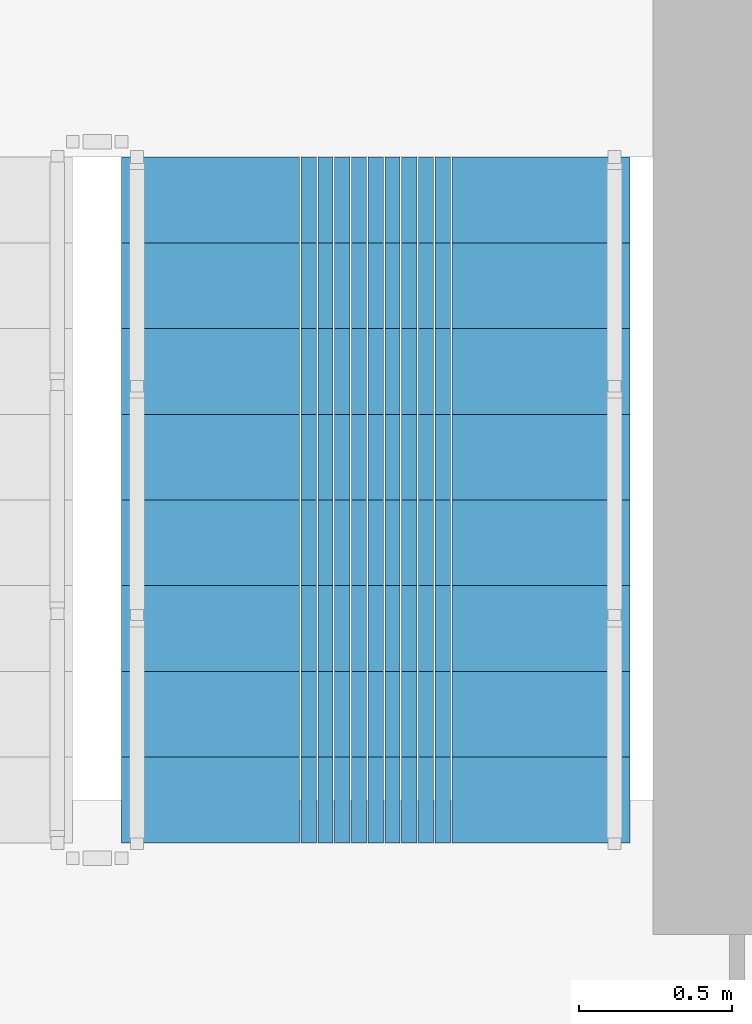
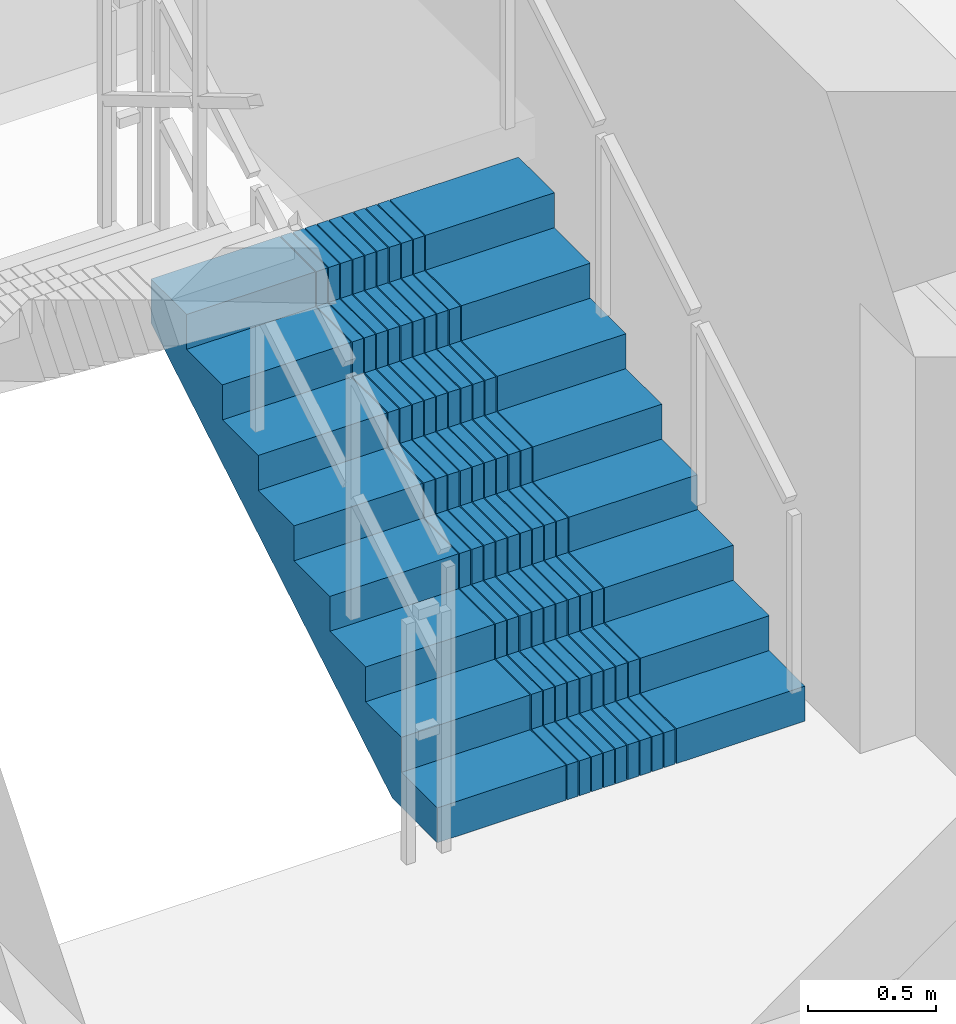
# One storey, part 8 of 12: 1 stair flight, 1 element without a shape of its own.
"""IFC4 building model written with IfcOpenShell, lengths in metres."""

from ifc_helpers import new_model, si_unit, direction, frame, origin, place, context, subcontext, project, spatial, polyline, outline, extrude, material, type_object, element, aggregate, save


model = new_model("IFC4")

# Units and contexts
model_context = context("Model", 3, precision=1e-05, world=origin(), true_north=direction((0.0, 1.0)))
body_context = subcontext(model_context, "Body", "Model", "MODEL_VIEW")
ifc_project = project(units=[si_unit("LENGTHUNIT", "METRE"), si_unit("AREAUNIT", "SQUARE_METRE"), si_unit("VOLUMEUNIT", "CUBIC_METRE"), si_unit("PLANEANGLEUNIT", "RADIAN"), si_unit("MASSUNIT", "GRAM", prefix="KILO")], contexts=[model_context])

# Site, building, storey
site_placement = place(None, origin())
site = spatial("IfcSite", under=ifc_project, at=site_placement, CompositionType="ELEMENT")
building_placement = place(site_placement, origin())
building = spatial("IfcBuilding", under=site, at=building_placement, Name="Saelheon Loggia Tower", CompositionType="ELEMENT")
storey_placement = place(building_placement, frame((0.0, 0.0, 101.85009765625)))
storey = spatial("IfcBuildingStorey", under=building, at=storey_placement, Name="L32", CompositionType="ELEMENT", Elevation=101.85009765625)

# Stair, stair flight
ifc_material = material(Name="Concrete C40/50", Category="concrete")
stair_type = type_object("IfcStairType", Name="Stair_Escape_Core", PredefinedType="HALF_TURN_STAIR", material=ifc_material)
stair_placement = place(storey_placement, origin())
stair = element("IfcStair", 1, at=stair_placement, inside=storey, type_object=stair_type, Name="L32 Special Escape Stair ST2", PredefinedType="HALF_TURN_STAIR")
stair_flight_type = type_object("IfcStairFlightType", Name="StairFlight_Tower_1660", PredefinedType="STRAIGHT", material=ifc_material)
stair_flight_placement = place(storey_placement, frame((43.320068359375, 30.449951171875, 0.0), z_axis=(0.0, 0.0, 1.0), x_axis=(0.0, 1.0, 0.0)))
stair_flight = element("IfcStairFlight", 2, at=stair_flight_placement, type_object=stair_flight_type, Name="ST2 flight 1", NumberOfRisers=9, NumberOfTreads=8, PredefinedType="STRAIGHT", RiserHeight=0.166666667, TreadLength=0.28, context=body_context, shape_type="SweptSolid", body=[
    extrude(outline(polyline([(0.0, 0.0), (0.0, 0.166748046875), (0.280029296875, 0.166748046875), (0.280029296875, 0.333251953125), (0.56005859375, 0.333251953125), (0.56005859375, 0.5), (0.840087890625, 0.5), (0.840087890625, 0.666748046875), (1.1201171875, 0.666748046875), (1.1201171875, 0.833251953125), (1.39990234375, 0.833251953125), (1.39990234375, 1.0), (1.679931640625, 1.0), (1.679931640625, 1.166748046875), (1.9599609375, 1.166748046875), (1.9599609375, 1.333251953125), (2.239990234375, 1.333251953125), (2.239990234375, 1.5), (2.239990234375, 1.1240234375), (0.351806640625, 0.0), (0.0, 0.0)])), frame((0.0, -0.2490234375, 0.0), z_axis=(0.0, -1.0, 0.0), x_axis=(1.0, 0.0, 0.0)), (0.0, 0.0, 1.0), 0.5810546875),
    extrude(outline(polyline([(0.0, 0.0), (0.0, 0.166748046875), (0.280029296875, 0.166748046875), (0.280029296875, 0.333251953125), (0.56005859375, 0.333251953125), (0.56005859375, 0.5), (0.840087890625, 0.5), (0.840087890625, 0.666748046875), (1.1201171875, 0.666748046875), (1.1201171875, 0.833251953125), (1.39990234375, 0.833251953125), (1.39990234375, 1.0), (1.679931640625, 1.0), (1.679931640625, 1.166748046875), (1.9599609375, 1.166748046875), (1.9599609375, 1.333251953125), (2.239990234375, 1.333251953125), (2.239990234375, 1.5), (2.239990234375, 1.1240234375), (0.351806640625, 0.0), (0.0, 0.0)])), frame((0.0, -0.194091796875, 0.0), z_axis=(0.0, -1.0, 0.0), x_axis=(1.0, 0.0, 0.0)), (0.0, 0.0, 1.0), 0.0498046875),
    extrude(outline(polyline([(0.0, 0.0), (0.0, 0.166748046875), (0.280029296875, 0.166748046875), (0.280029296875, 0.333251953125), (0.56005859375, 0.333251953125), (0.56005859375, 0.5), (0.840087890625, 0.5), (0.840087890625, 0.666748046875), (1.1201171875, 0.666748046875), (1.1201171875, 0.833251953125), (1.39990234375, 0.833251953125), (1.39990234375, 1.0), (1.679931640625, 1.0), (1.679931640625, 1.166748046875), (1.9599609375, 1.166748046875), (1.9599609375, 1.333251953125), (2.239990234375, 1.333251953125), (2.239990234375, 1.5), (2.239990234375, 1.1240234375), (0.351806640625, 0.0), (0.0, 0.0)])), frame((0.0, -0.139404296875, 0.0), z_axis=(0.0, -1.0, 0.0), x_axis=(1.0, 0.0, 0.0)), (0.0, 0.0, 1.0), 0.0498046875),
    extrude(outline(polyline([(0.0, 0.0), (0.0, 0.166748046875), (0.280029296875, 0.166748046875), (0.280029296875, 0.333251953125), (0.56005859375, 0.333251953125), (0.56005859375, 0.5), (0.840087890625, 0.5), (0.840087890625, 0.666748046875), (1.1201171875, 0.666748046875), (1.1201171875, 0.833251953125), (1.39990234375, 0.833251953125), (1.39990234375, 1.0), (1.679931640625, 1.0), (1.679931640625, 1.166748046875), (1.9599609375, 1.166748046875), (1.9599609375, 1.333251953125), (2.239990234375, 1.333251953125), (2.239990234375, 1.5), (2.239990234375, 1.1240234375), (0.351806640625, 0.0), (0.0, 0.0)])), frame((0.0, -0.084716796875, 0.0), z_axis=(0.0, -1.0, 0.0), x_axis=(1.0, 0.0, 0.0)), (0.0, 0.0, 1.0), 0.0498046875),
    extrude(outline(polyline([(0.0, 0.0), (0.0, 0.166748046875), (0.280029296875, 0.166748046875), (0.280029296875, 0.333251953125), (0.56005859375, 0.333251953125), (0.56005859375, 0.5), (0.840087890625, 0.5), (0.840087890625, 0.666748046875), (1.1201171875, 0.666748046875), (1.1201171875, 0.833251953125), (1.39990234375, 0.833251953125), (1.39990234375, 1.0), (1.679931640625, 1.0), (1.679931640625, 1.166748046875), (1.9599609375, 1.166748046875), (1.9599609375, 1.333251953125), (2.239990234375, 1.333251953125), (2.239990234375, 1.5), (2.239990234375, 1.1240234375), (0.351806640625, 0.0), (0.0, 0.0)])), frame((0.0, -0.02978515625, 0.0), z_axis=(0.0, -1.0, 0.0), x_axis=(1.0, 0.0, 0.0)), (0.0, 0.0, 1.0), 0.0498046875),
    extrude(outline(polyline([(0.0, 0.0), (0.0, 0.166748046875), (0.280029296875, 0.166748046875), (0.280029296875, 0.333251953125), (0.56005859375, 0.333251953125), (0.56005859375, 0.5), (0.840087890625, 0.5), (0.840087890625, 0.666748046875), (1.1201171875, 0.666748046875), (1.1201171875, 0.833251953125), (1.39990234375, 0.833251953125), (1.39990234375, 1.0), (1.679931640625, 1.0), (1.679931640625, 1.166748046875), (1.9599609375, 1.166748046875), (1.9599609375, 1.333251953125), (2.239990234375, 1.333251953125), (2.239990234375, 1.5), (2.239990234375, 1.1240234375), (0.351806640625, 0.0), (0.0, 0.0)])), frame((0.0, 0.02490234375, 0.0), z_axis=(0.0, -1.0, 0.0), x_axis=(1.0, 0.0, 0.0)), (0.0, 0.0, 1.0), 0.0498046875),
    extrude(outline(polyline([(0.0, 0.0), (0.0, 0.166748046875), (0.280029296875, 0.166748046875), (0.280029296875, 0.333251953125), (0.56005859375, 0.333251953125), (0.56005859375, 0.5), (0.840087890625, 0.5), (0.840087890625, 0.666748046875), (1.1201171875, 0.666748046875), (1.1201171875, 0.833251953125), (1.39990234375, 0.833251953125), (1.39990234375, 1.0), (1.679931640625, 1.0), (1.679931640625, 1.166748046875), (1.9599609375, 1.166748046875), (1.9599609375, 1.333251953125), (2.239990234375, 1.333251953125), (2.239990234375, 1.5), (2.239990234375, 1.1240234375), (0.351806640625, 0.0), (0.0, 0.0)])), frame((0.0, 0.07958984375, 0.0), z_axis=(0.0, -1.0, 0.0), x_axis=(1.0, 0.0, 0.0)), (0.0, 0.0, 1.0), 0.0498046875),
    extrude(outline(polyline([(0.0, 0.0), (0.0, 0.166748046875), (0.280029296875, 0.166748046875), (0.280029296875, 0.333251953125), (0.56005859375, 0.333251953125), (0.56005859375, 0.5), (0.840087890625, 0.5), (0.840087890625, 0.666748046875), (1.1201171875, 0.666748046875), (1.1201171875, 0.833251953125), (1.39990234375, 0.833251953125), (1.39990234375, 1.0), (1.679931640625, 1.0), (1.679931640625, 1.166748046875), (1.9599609375, 1.166748046875), (1.9599609375, 1.333251953125), (2.239990234375, 1.333251953125), (2.239990234375, 1.5), (2.239990234375, 1.1240234375), (0.351806640625, 0.0), (0.0, 0.0)])), frame((0.0, 0.134521484375, 0.0), z_axis=(0.0, -1.0, 0.0), x_axis=(1.0, 0.0, 0.0)), (0.0, 0.0, 1.0), 0.0498046875),
    extrude(outline(polyline([(0.0, 0.0), (0.0, 0.166748046875), (0.280029296875, 0.166748046875), (0.280029296875, 0.333251953125), (0.56005859375, 0.333251953125), (0.56005859375, 0.5), (0.840087890625, 0.5), (0.840087890625, 0.666748046875), (1.1201171875, 0.666748046875), (1.1201171875, 0.833251953125), (1.39990234375, 0.833251953125), (1.39990234375, 1.0), (1.679931640625, 1.0), (1.679931640625, 1.166748046875), (1.9599609375, 1.166748046875), (1.9599609375, 1.333251953125), (2.239990234375, 1.333251953125), (2.239990234375, 1.5), (2.239990234375, 1.1240234375), (0.351806640625, 0.0), (0.0, 0.0)])), frame((0.0, 0.189208984375, 0.0), z_axis=(0.0, -1.0, 0.0), x_axis=(1.0, 0.0, 0.0)), (0.0, 0.0, 1.0), 0.0498046875),
    extrude(outline(polyline([(0.0, 0.0), (0.0, 0.166748046875), (0.280029296875, 0.166748046875), (0.280029296875, 0.333251953125), (0.56005859375, 0.333251953125), (0.56005859375, 0.5), (0.840087890625, 0.5), (0.840087890625, 0.666748046875), (1.1201171875, 0.666748046875), (1.1201171875, 0.833251953125), (1.39990234375, 0.833251953125), (1.39990234375, 1.0), (1.679931640625, 1.0), (1.679931640625, 1.166748046875), (1.9599609375, 1.166748046875), (1.9599609375, 1.333251953125), (2.239990234375, 1.333251953125), (2.239990234375, 1.5), (2.239990234375, 1.1240234375), (0.351806640625, 0.0), (0.0, 0.0)])), frame((0.0, 0.243896484375, 0.0), z_axis=(0.0, -1.0, 0.0), x_axis=(1.0, 0.0, 0.0)), (0.0, 0.0, 1.0), 0.0498046875),
    extrude(outline(polyline([(0.0, 0.0), (0.0, 0.166748046875), (0.280029296875, 0.166748046875), (0.280029296875, 0.333251953125), (0.56005859375, 0.333251953125), (0.56005859375, 0.5), (0.840087890625, 0.5), (0.840087890625, 0.666748046875), (1.1201171875, 0.666748046875), (1.1201171875, 0.833251953125), (1.39990234375, 0.833251953125), (1.39990234375, 1.0), (1.679931640625, 1.0), (1.679931640625, 1.166748046875), (1.9599609375, 1.166748046875), (1.9599609375, 1.333251953125), (2.239990234375, 1.333251953125), (2.239990234375, 1.5), (2.239990234375, 1.1240234375), (0.351806640625, 0.0), (0.0, 0.0)])), frame((0.0, 0.830078125, 0.0), z_axis=(0.0, -1.0, 0.0), x_axis=(1.0, 0.0, 0.0)), (0.0, 0.0, 1.0), 0.5810546875),
])
aggregate(stair, [stair_flight])

save(model, "model.ifc")
